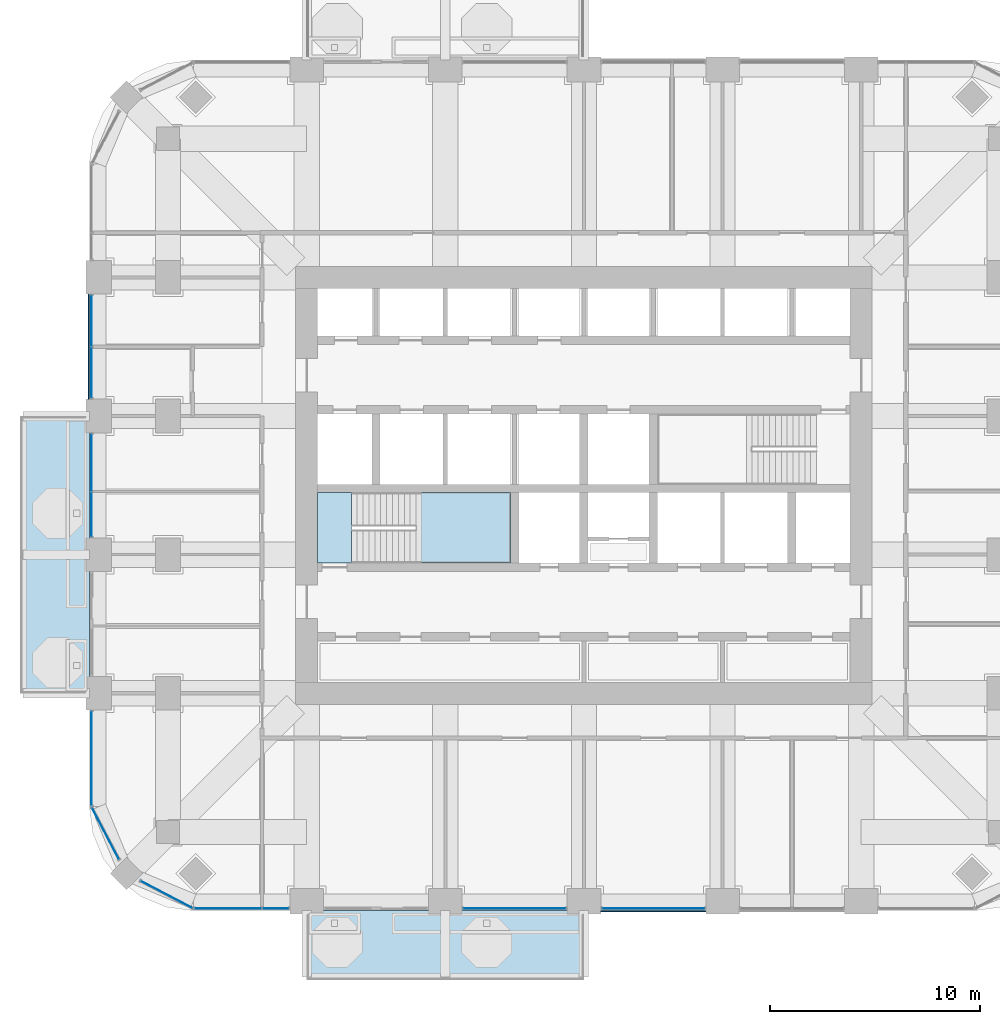
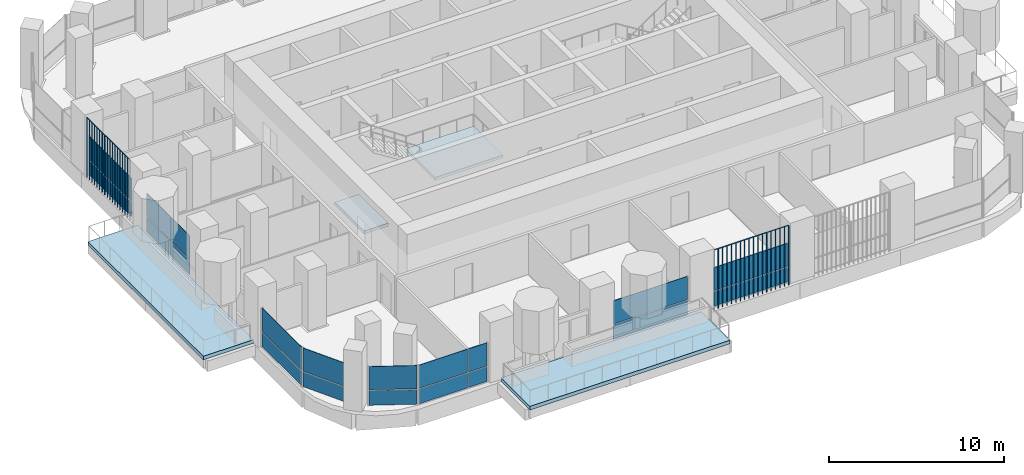
# One storey, part 8 of 20: 24 plates, 4 slabs, 9 elements without a shape of their own.
"""IFC4 building model written with IfcOpenShell, lengths in metres."""

from ifc_helpers import new_model, si_unit, direction, frame, origin, origin_2d, place, context, subcontext, project, spatial, polyline, rectangle, outline, extrude, material, layer, layer_set, type_object, element, aggregate, save


model = new_model("IFC4")

# Units and contexts
model_context = context("Model", 3, precision=1e-05, world=origin(), true_north=direction((0.0, 1.0)))
body_context = subcontext(model_context, "Body", "Model", "MODEL_VIEW")
ifc_project = project(units=[si_unit("LENGTHUNIT", "METRE"), si_unit("AREAUNIT", "SQUARE_METRE"), si_unit("VOLUMEUNIT", "CUBIC_METRE"), si_unit("PLANEANGLEUNIT", "RADIAN"), si_unit("MASSUNIT", "GRAM", prefix="KILO")], contexts=[model_context])

# Site, building, storey
site_placement = place(None, origin())
site = spatial("IfcSite", under=ifc_project, at=site_placement, CompositionType="ELEMENT")
building_placement = place(site_placement, origin())
building = spatial("IfcBuilding", under=site, at=building_placement, Name="Cobogo Forest Laboratory Tower", CompositionType="ELEMENT")
storey_placement = place(building_placement, frame((0.0, 0.0, 185.10009765625)))
storey = spatial("IfcBuildingStorey", under=building, at=storey_placement, Name="L42", CompositionType="ELEMENT", Elevation=185.10009765625)

# Slabs
ifc_material_1 = material(Name="Concrete HA-40 (C40/50)", Category="concrete")
ifc_layer_1 = layer(ifc_material_1, 0.25)
ifc_layer_set_1 = layer_set([ifc_layer_1], Name="Balcony slab 250")
slab_type_1 = type_object("IfcSlabType", Name="Balcony slab 250", PredefinedType="FLOOR", material=ifc_layer_set_1)
slab_1_placement = place(storey_placement, frame((0.0, 0.0, -0.25)))
element("IfcSlab", 1, at=slab_1_placement, inside=storey, type_object=slab_type_1, Name="Balcony BAL-S1 L42", PredefinedType="FLOOR", context=body_context, shape_type="SweptSolid", body=[
    extrude(outline(polyline([(13.199951171875, -0.449951171875), (26.39990234375, -0.449951171875), (26.39990234375, 2.85009765625), (13.199951171875, 2.85009765625), (13.199951171875, -0.449951171875)])), origin(), (0.0, 0.0, 1.0), 0.25),
])
slab_2_placement = place(storey_placement, frame((0.0, 0.0, -0.25)))
element("IfcSlab", 2, at=slab_2_placement, inside=storey, type_object=slab_type_1, Name="Balcony BAL-W1 L42", PredefinedType="FLOOR", context=body_context, shape_type="SweptSolid", body=[
    extrude(outline(polyline([(-0.449951171875, 13.199951171875), (2.85009765625, 13.199951171875), (2.85009765625, 26.39990234375), (-0.449951171875, 26.39990234375), (-0.449951171875, 13.199951171875)])), origin(), (0.0, 0.0, 1.0), 0.25),
])

# Curtain wall, plates
ifc_material_2 = material(Name="Aluminium curtain wall", Category="aluminium")
curtain_wall_type = type_object("IfcCurtainWallType", Name="CW-2 unitised curtain wall, solar control glazing, laboratory floors zones C and D", PredefinedType="USERDEFINED", material=ifc_material_2)
curtain_wall_1_placement = place(storey_placement, origin())
curtain_wall_1 = element("IfcCurtainWall", 3, at=curtain_wall_1_placement, inside=storey, type_object=curtain_wall_type, Name="Curtain wall 01 L42", ObjectType="UNITISED CURTAIN WALL", PredefinedType="USERDEFINED")
ifc_material_3 = material(Name="Solar control insulated glass", Category="glass")
ifc_layer_2 = layer(ifc_material_3, 0.031982421875)
ifc_layer_set_2 = layer_set([ifc_layer_2], Name="GP-2 solar control glass unit 32")
plate_type_1 = type_object("IfcPlateType", Name="GP-2 solar control glass unit 32", PredefinedType="CURTAIN_PANEL", material=ifc_layer_set_2)
plate_1_placement = place(storey_placement, frame((9.452392578125, 2.949951171875, 0.0), z_axis=(0.0, 0.0, 1.0), x_axis=(1.0, 0.0, 0.0)))
plate_1 = element("IfcPlate", 4, at=plate_1_placement, type_object=plate_type_1, Name="CW-2 panel 1.1", PredefinedType="CURTAIN_PANEL", context=body_context, shape_type="SweptSolid", body=[
    extrude(rectangle(XDim=3.18505859375, YDim=0.031982421875, at=origin_2d()), origin(), (0.0, 0.0, 1.0), 1.02001953125),
])
plate_2_placement = place(storey_placement, frame((9.452392578125, 2.949951171875, 1.079833984375), z_axis=(0.0, 0.0, 1.0), x_axis=(1.0, 0.0, 0.0)))
plate_2 = element("IfcPlate", 5, at=plate_2_placement, type_object=plate_type_1, Name="CW-2 panel 1.2", PredefinedType="CURTAIN_PANEL", context=body_context, shape_type="SweptSolid", body=[
    extrude(rectangle(XDim=3.18505859375, YDim=0.031982421875, at=origin_2d()), origin(), (0.0, 0.0, 1.0), 1.6201171875),
])
plate_3_placement = place(storey_placement, frame((11.722412109375, 2.949951171875, 0.0), z_axis=(0.0, 0.0, 1.0), x_axis=(1.0, 0.0, 0.0)))
plate_3 = element("IfcPlate", 6, at=plate_3_placement, type_object=plate_type_1, Name="CW-2 panel 2.1", PredefinedType="CURTAIN_PANEL", context=body_context, shape_type="SweptSolid", body=[
    extrude(rectangle(XDim=1.235107421875, YDim=0.031982421875, at=origin_2d()), origin(), (0.0, 0.0, 1.0), 1.02001953125),
])
plate_4_placement = place(storey_placement, frame((11.722412109375, 2.949951171875, 1.079833984375), z_axis=(0.0, 0.0, 1.0), x_axis=(1.0, 0.0, 0.0)))
plate_4 = element("IfcPlate", 7, at=plate_4_placement, type_object=plate_type_1, Name="CW-2 panel 2.2", PredefinedType="CURTAIN_PANEL", context=body_context, shape_type="SweptSolid", body=[
    extrude(rectangle(XDim=1.235107421875, YDim=0.031982421875, at=origin_2d()), origin(), (0.0, 0.0, 1.0), 1.6201171875),
])
aggregate(curtain_wall_1, [plate_1, plate_2, plate_3, plate_4])

curtain_wall_2_placement = place(storey_placement, origin())
curtain_wall_2 = element("IfcCurtainWall", 8, at=curtain_wall_2_placement, inside=storey, type_object=curtain_wall_type, Name="Curtain wall 03 L42", ObjectType="UNITISED CURTAIN WALL", PredefinedType="USERDEFINED")
plate_5_placement = place(storey_placement, frame((23.10009765625, 2.949951171875, 0.0), z_axis=(0.0, 0.0, 1.0), x_axis=(1.0, 0.0, 0.0)))
plate_5 = element("IfcPlate", 9, at=plate_5_placement, type_object=plate_type_1, Name="CW-2 panel 1.1", PredefinedType="CURTAIN_PANEL", context=body_context, shape_type="SweptSolid", body=[
    extrude(rectangle(XDim=4.8798828125, YDim=0.031982421875, at=origin_2d()), origin(), (0.0, 0.0, 1.0), 1.02001953125),
])
plate_6_placement = place(storey_placement, frame((23.10009765625, 2.949951171875, 1.079833984375), z_axis=(0.0, 0.0, 1.0), x_axis=(1.0, 0.0, 0.0)))
plate_6 = element("IfcPlate", 10, at=plate_6_placement, type_object=plate_type_1, Name="CW-2 panel 1.2", PredefinedType="CURTAIN_PANEL", context=body_context, shape_type="SweptSolid", body=[
    extrude(rectangle(XDim=4.8798828125, YDim=0.031982421875, at=origin_2d()), origin(), (0.0, 0.0, 1.0), 1.6201171875),
])
aggregate(curtain_wall_2, [plate_5, plate_6])

curtain_wall_3_placement = place(storey_placement, origin())
curtain_wall_3 = element("IfcCurtainWall", 11, at=curtain_wall_3_placement, inside=storey, type_object=curtain_wall_type, Name="Curtain wall 04 L42", ObjectType="UNITISED CURTAIN WALL", PredefinedType="USERDEFINED")
plate_7_placement = place(storey_placement, frame((29.699951171875, 2.949951171875, 0.0), z_axis=(0.0, 0.0, 1.0), x_axis=(1.0, 0.0, 0.0)))
plate_7 = element("IfcPlate", 12, at=plate_7_placement, type_object=plate_type_1, Name="CW-2 panel 1.1", PredefinedType="CURTAIN_PANEL", context=body_context, shape_type="SweptSolid", body=[
    extrude(rectangle(XDim=4.8798828125, YDim=0.031982421875, at=origin_2d()), origin(), (0.0, 0.0, 1.0), 1.02001953125),
])
plate_8_placement = place(storey_placement, frame((29.699951171875, 2.949951171875, 1.079833984375), z_axis=(0.0, 0.0, 1.0), x_axis=(1.0, 0.0, 0.0)))
plate_8 = element("IfcPlate", 13, at=plate_8_placement, type_object=plate_type_1, Name="CW-2 panel 1.2", PredefinedType="CURTAIN_PANEL", context=body_context, shape_type="SweptSolid", body=[
    extrude(rectangle(XDim=4.8798828125, YDim=0.031982421875, at=origin_2d()), origin(), (0.0, 0.0, 1.0), 1.6201171875),
])
aggregate(curtain_wall_3, [plate_7, plate_8])

curtain_wall_4_placement = place(storey_placement, origin())
curtain_wall_4 = element("IfcCurtainWall", 14, at=curtain_wall_4_placement, inside=storey, type_object=curtain_wall_type, Name="Curtain wall 25 L42", ObjectType="UNITISED CURTAIN WALL", PredefinedType="USERDEFINED")
plate_9_placement = place(storey_placement, frame((2.949951171875, 30.93505859375, 0.0), z_axis=(0.0, 0.0, 1.0), x_axis=(0.0, -1.0, 0.0)))
plate_9 = element("IfcPlate", 15, at=plate_9_placement, type_object=plate_type_1, Name="CW-2 panel 1.1", PredefinedType="CURTAIN_PANEL", context=body_context, shape_type="SweptSolid", body=[
    extrude(rectangle(XDim=2.409912109375, YDim=0.031982421875, at=origin_2d()), origin(), (0.0, 0.0, 1.0), 1.02001953125),
])
plate_10_placement = place(storey_placement, frame((2.949951171875, 30.93505859375, 1.079833984375), z_axis=(0.0, 0.0, 1.0), x_axis=(0.0, -1.0, 0.0)))
plate_10 = element("IfcPlate", 16, at=plate_10_placement, type_object=plate_type_1, Name="CW-2 panel 1.2", PredefinedType="CURTAIN_PANEL", context=body_context, shape_type="SweptSolid", body=[
    extrude(rectangle(XDim=2.409912109375, YDim=0.031982421875, at=origin_2d()), origin(), (0.0, 0.0, 1.0), 1.6201171875),
])
plate_11_placement = place(storey_placement, frame((2.949951171875, 28.465087890625, 0.0), z_axis=(0.0, 0.0, 1.0), x_axis=(0.0, -1.0, 0.0)))
plate_11 = element("IfcPlate", 17, at=plate_11_placement, type_object=plate_type_1, Name="CW-2 panel 2.1", PredefinedType="CURTAIN_PANEL", context=body_context, shape_type="SweptSolid", body=[
    extrude(rectangle(XDim=2.409912109375, YDim=0.031982421875, at=origin_2d()), origin(), (0.0, 0.0, 1.0), 1.02001953125),
])
plate_12_placement = place(storey_placement, frame((2.949951171875, 28.465087890625, 1.079833984375), z_axis=(0.0, 0.0, 1.0), x_axis=(0.0, -1.0, 0.0)))
plate_12 = element("IfcPlate", 18, at=plate_12_placement, type_object=plate_type_1, Name="CW-2 panel 2.2", PredefinedType="CURTAIN_PANEL", context=body_context, shape_type="SweptSolid", body=[
    extrude(rectangle(XDim=2.409912109375, YDim=0.031982421875, at=origin_2d()), origin(), (0.0, 0.0, 1.0), 1.6201171875),
])
aggregate(curtain_wall_4, [plate_9, plate_10, plate_11, plate_12])

curtain_wall_5_placement = place(storey_placement, origin())
curtain_wall_5 = element("IfcCurtainWall", 19, at=curtain_wall_5_placement, inside=storey, type_object=curtain_wall_type, Name="Curtain wall 26 L42", ObjectType="UNITISED CURTAIN WALL", PredefinedType="USERDEFINED")
plate_13_placement = place(storey_placement, frame((2.949951171875, 24.18505859375, 0.0), z_axis=(0.0, 0.0, 1.0), x_axis=(0.0, -1.0, 0.0)))
plate_13 = element("IfcPlate", 20, at=plate_13_placement, type_object=plate_type_1, Name="CW-2 panel 1.1", PredefinedType="CURTAIN_PANEL", context=body_context, shape_type="SweptSolid", body=[
    extrude(rectangle(XDim=2.7099609375, YDim=0.031982421875, at=origin_2d()), origin(), (0.0, 0.0, 1.0), 1.02001953125),
])
plate_14_placement = place(storey_placement, frame((2.949951171875, 24.18505859375, 1.079833984375), z_axis=(0.0, 0.0, 1.0), x_axis=(0.0, -1.0, 0.0)))
plate_14 = element("IfcPlate", 21, at=plate_14_placement, type_object=plate_type_1, Name="CW-2 panel 1.2", PredefinedType="CURTAIN_PANEL", context=body_context, shape_type="SweptSolid", body=[
    extrude(rectangle(XDim=2.7099609375, YDim=0.031982421875, at=origin_2d()), origin(), (0.0, 0.0, 1.0), 1.6201171875),
])
plate_15_placement = place(storey_placement, frame((2.949951171875, 21.715087890625, 0.0), z_axis=(0.0, 0.0, 1.0), x_axis=(0.0, -1.0, 0.0)))
plate_15 = element("IfcPlate", 22, at=plate_15_placement, type_object=plate_type_1, Name="CW-2 panel 2.1", PredefinedType="CURTAIN_PANEL", context=body_context, shape_type="SweptSolid", body=[
    extrude(rectangle(XDim=2.110107421875, YDim=0.031982421875, at=origin_2d()), origin(), (0.0, 0.0, 1.0), 1.02001953125),
])
plate_16_placement = place(storey_placement, frame((2.949951171875, 21.715087890625, 1.079833984375), z_axis=(0.0, 0.0, 1.0), x_axis=(0.0, -1.0, 0.0)))
plate_16 = element("IfcPlate", 23, at=plate_16_placement, type_object=plate_type_1, Name="CW-2 panel 2.2", PredefinedType="CURTAIN_PANEL", context=body_context, shape_type="SweptSolid", body=[
    extrude(rectangle(XDim=2.110107421875, YDim=0.031982421875, at=origin_2d()), origin(), (0.0, 0.0, 1.0), 1.6201171875),
])
aggregate(curtain_wall_5, [plate_13, plate_14, plate_15, plate_16])

curtain_wall_6_placement = place(storey_placement, origin())
curtain_wall_6 = element("IfcCurtainWall", 24, at=curtain_wall_6_placement, inside=storey, type_object=curtain_wall_type, Name="Curtain wall 28 L42", ObjectType="UNITISED CURTAIN WALL", PredefinedType="USERDEFINED")
plate_17_placement = place(storey_placement, frame((2.949951171875, 10.10009765625, 0.0), z_axis=(0.0, 0.0, 1.0), x_axis=(0.0, -1.0, 0.0)))
plate_17 = element("IfcPlate", 25, at=plate_17_placement, type_object=plate_type_1, Name="CW-2 panel 1.1", PredefinedType="CURTAIN_PANEL", context=body_context, shape_type="SweptSolid", body=[
    extrude(rectangle(XDim=4.47998046875, YDim=0.031982421875, at=origin_2d()), origin(), (0.0, 0.0, 1.0), 1.02001953125),
])
plate_18_placement = place(storey_placement, frame((2.949951171875, 10.10009765625, 1.079833984375), z_axis=(0.0, 0.0, 1.0), x_axis=(0.0, -1.0, 0.0)))
plate_18 = element("IfcPlate", 26, at=plate_18_placement, type_object=plate_type_1, Name="CW-2 panel 1.2", PredefinedType="CURTAIN_PANEL", context=body_context, shape_type="SweptSolid", body=[
    extrude(rectangle(XDim=4.47998046875, YDim=0.031982421875, at=origin_2d()), origin(), (0.0, 0.0, 1.0), 1.6201171875),
])
aggregate(curtain_wall_6, [plate_17, plate_18])

curtain_wall_7_placement = place(storey_placement, origin())
curtain_wall_7 = element("IfcCurtainWall", 27, at=curtain_wall_7_placement, inside=storey, type_object=curtain_wall_type, Name="Curtain wall 29 L42", ObjectType="UNITISED CURTAIN WALL", PredefinedType="USERDEFINED")
plate_19_placement = place(storey_placement, frame((3.61865234375, 6.5244140625, 0.0), z_axis=(0.0, 0.0, 1.0), x_axis=(0.464283804832, -0.885686484356, 0.0)))
plate_19 = element("IfcPlate", 28, at=plate_19_placement, type_object=plate_type_1, Name="CW-2 panel 1.1", PredefinedType="CURTAIN_PANEL", context=body_context, shape_type="SweptSolid", body=[
    extrude(rectangle(XDim=2.76025390625, YDim=0.031982421875, at=origin_2d()), origin(), (0.0, 0.0, 1.0), 1.02001953125),
])
plate_20_placement = place(storey_placement, frame((3.61865234375, 6.5244140625, 1.079833984375), z_axis=(0.0, 0.0, 1.0), x_axis=(0.464283804832, -0.885686484356, 0.0)))
plate_20 = element("IfcPlate", 29, at=plate_20_placement, type_object=plate_type_1, Name="CW-2 panel 1.2", PredefinedType="CURTAIN_PANEL", context=body_context, shape_type="SweptSolid", body=[
    extrude(rectangle(XDim=2.76025390625, YDim=0.031982421875, at=origin_2d()), origin(), (0.0, 0.0, 1.0), 1.6201171875),
])
aggregate(curtain_wall_7, [plate_19, plate_20])

curtain_wall_8_placement = place(storey_placement, origin())
curtain_wall_8 = element("IfcCurtainWall", 30, at=curtain_wall_8_placement, inside=storey, type_object=curtain_wall_type, Name="Curtain wall 30 L42", ObjectType="UNITISED CURTAIN WALL", PredefinedType="USERDEFINED")
plate_21_placement = place(storey_placement, frame((6.5244140625, 3.61865234375, 0.0), z_axis=(0.0, 0.0, 1.0), x_axis=(0.885686484356, -0.464283804832, 0.0)))
plate_21 = element("IfcPlate", 31, at=plate_21_placement, type_object=plate_type_1, Name="CW-2 panel 1.1", PredefinedType="CURTAIN_PANEL", context=body_context, shape_type="SweptSolid", body=[
    extrude(rectangle(XDim=2.76025390625, YDim=0.031982421875, at=origin_2d()), origin(), (0.0, 0.0, 1.0), 1.02001953125),
])
plate_22_placement = place(storey_placement, frame((6.5244140625, 3.61865234375, 1.079833984375), z_axis=(0.0, 0.0, 1.0), x_axis=(0.885686484356, -0.464283804832, 0.0)))
plate_22 = element("IfcPlate", 32, at=plate_22_placement, type_object=plate_type_1, Name="CW-2 panel 1.2", PredefinedType="CURTAIN_PANEL", context=body_context, shape_type="SweptSolid", body=[
    extrude(rectangle(XDim=2.76025390625, YDim=0.031982421875, at=origin_2d()), origin(), (0.0, 0.0, 1.0), 1.6201171875),
])
aggregate(curtain_wall_8, [plate_21, plate_22])

# Stair, slabs
ifc_material_4 = material(Name="Precast concrete HA-40 (C40/50)", Category="concrete")
stair_type = type_object("IfcStairType", Name="ST24 exit stair 24 risers", PredefinedType="HALF_TURN_STAIR", material=ifc_material_4)
stair_placement = place(storey_placement, origin())
stair = element("IfcStair", 33, at=stair_placement, inside=storey, type_object=stair_type, Name="Stair 1 L42 to L43", PredefinedType="HALF_TURN_STAIR")
ifc_layer_3 = layer(ifc_material_1, 0.199951171875)
ifc_layer_set_3 = layer_set([ifc_layer_3], Name="SL stair landing 200")
slab_type_2 = type_object("IfcSlabType", Name="SL stair landing 200", PredefinedType="LANDING", material=ifc_layer_set_3)
slab_3_placement = place(storey_placement, frame((0.0, 0.0, -0.2001953125)))
slab_3 = element("IfcSlab", 34, at=slab_3_placement, type_object=slab_type_2, Name="ST1 landing 1", PredefinedType="LANDING", context=body_context, shape_type="SweptSolid", body=[
    extrude(outline(polyline([(13.72509765625, 19.39990234375), (15.326904296875, 19.39990234375), (15.326904296875, 22.75), (13.72509765625, 22.75), (13.72509765625, 19.39990234375)])), origin(), (0.0, 0.0, 1.0), 0.2001953125),
])
slab_4_placement = place(storey_placement, frame((0.0, 0.0, 1.89990234375)))
slab_4 = element("IfcSlab", 35, at=slab_4_placement, type_object=slab_type_2, Name="ST1 landing 2", PredefinedType="LANDING", context=body_context, shape_type="SweptSolid", body=[
    extrude(outline(polyline([(18.403076171875, 19.39990234375), (22.89990234375, 19.39990234375), (22.89990234375, 22.75), (18.403076171875, 22.75), (18.403076171875, 19.39990234375)])), origin(), (0.0, 0.0, 1.0), 0.199951171875),
])
aggregate(stair, [slab_3, slab_4])

# Plates
ifc_material_5 = material(Name="Terracotta", Category="masonry")
plate_type_2 = type_object("IfcPlateType", Name="TB1 terracotta baguette screen", PredefinedType="USERDEFINED", material=ifc_material_5)
plate_23_placement = place(storey_placement, frame((27.231201171875, 2.822021484375, -0.150146484375)))
element("IfcPlate", 36, at=plate_23_placement, inside=storey, type_object=plate_type_2, Name="Baguette screen S3 L42", ObjectType="BAGUETTE SCREEN", PredefinedType="USERDEFINED", context=body_context, shape_type="SweptSolid", body=[
    extrude(outline(polyline([(0.02880859375, 0.011962890625), (0.011962890625, 0.02880859375), (-0.011962890625, 0.02880859375), (-0.02880859375, 0.011962890625), (-0.02880859375, -0.011962890625), (-0.011962890625, -0.02880859375), (0.011962890625, -0.02880859375), (0.02880859375, -0.011962890625), (0.02880859375, 0.011962890625)])), frame((0.0, 0.0, 4.168701171875), z_axis=(1.0, 0.0, 0.0), x_axis=(0.0, 1.0, 0.0)), (0.0, 0.0, 1.0), 4.9375),
    extrude(outline(polyline([(0.02880859375, 0.011962890625), (0.011962890625, 0.02880859375), (-0.011962890625, 0.02880859375), (-0.02880859375, 0.011962890625), (-0.02880859375, -0.011962890625), (-0.011962890625, -0.02880859375), (0.011962890625, -0.02880859375), (0.02880859375, -0.011962890625), (0.02880859375, 0.011962890625)])), origin(), (0.0, 0.0, 1.0), 4.137451171875),
    extrude(outline(polyline([(0.02880859375, 0.011962890625), (0.011962890625, 0.02880859375), (-0.011962890625, 0.02880859375), (-0.02880859375, 0.011962890625), (-0.02880859375, -0.011962890625), (-0.011962890625, -0.02880859375), (0.011962890625, -0.02880859375), (0.02880859375, -0.011962890625), (0.02880859375, 0.011962890625)])), frame((0.29052734375, 0.0, 0.0)), (0.0, 0.0, 1.0), 4.137451171875),
    extrude(outline(polyline([(0.02880859375, 0.011962890625), (0.011962890625, 0.02880859375), (-0.011962890625, 0.02880859375), (-0.02880859375, 0.011962890625), (-0.02880859375, -0.011962890625), (-0.011962890625, -0.02880859375), (0.011962890625, -0.02880859375), (0.02880859375, -0.011962890625), (0.02880859375, 0.011962890625)])), frame((0.580810546875, 0.0, 0.0)), (0.0, 0.0, 1.0), 4.137451171875),
    extrude(outline(polyline([(0.02880859375, 0.011962890625), (0.011962890625, 0.02880859375), (-0.011962890625, 0.02880859375), (-0.02880859375, 0.011962890625), (-0.02880859375, -0.011962890625), (-0.011962890625, -0.02880859375), (0.011962890625, -0.02880859375), (0.02880859375, -0.011962890625), (0.02880859375, 0.011962890625)])), frame((0.871337890625, 0.0, 0.0)), (0.0, 0.0, 1.0), 4.137451171875),
    extrude(outline(polyline([(0.02880859375, 0.011962890625), (0.011962890625, 0.02880859375), (-0.011962890625, 0.02880859375), (-0.02880859375, 0.011962890625), (-0.02880859375, -0.011962890625), (-0.011962890625, -0.02880859375), (0.011962890625, -0.02880859375), (0.02880859375, -0.011962890625), (0.02880859375, 0.011962890625)])), frame((1.161865234375, 0.0, 0.0)), (0.0, 0.0, 1.0), 4.137451171875),
    extrude(outline(polyline([(0.02880859375, 0.011962890625), (0.011962890625, 0.02880859375), (-0.011962890625, 0.02880859375), (-0.02880859375, 0.011962890625), (-0.02880859375, -0.011962890625), (-0.011962890625, -0.02880859375), (0.011962890625, -0.02880859375), (0.02880859375, -0.011962890625), (0.02880859375, 0.011962890625)])), frame((1.4521484375, 0.0, 0.0)), (0.0, 0.0, 1.0), 4.137451171875),
    extrude(outline(polyline([(0.02880859375, 0.011962890625), (0.011962890625, 0.02880859375), (-0.011962890625, 0.02880859375), (-0.02880859375, 0.011962890625), (-0.02880859375, -0.011962890625), (-0.011962890625, -0.02880859375), (0.011962890625, -0.02880859375), (0.02880859375, -0.011962890625), (0.02880859375, 0.011962890625)])), frame((1.74267578125, 0.0, 0.0)), (0.0, 0.0, 1.0), 4.137451171875),
    extrude(outline(polyline([(0.02880859375, 0.011962890625), (0.011962890625, 0.02880859375), (-0.011962890625, 0.02880859375), (-0.02880859375, 0.011962890625), (-0.02880859375, -0.011962890625), (-0.011962890625, -0.02880859375), (0.011962890625, -0.02880859375), (0.02880859375, -0.011962890625), (0.02880859375, 0.011962890625)])), frame((2.033203125, 0.0, 0.0)), (0.0, 0.0, 1.0), 4.137451171875),
    extrude(outline(polyline([(0.02880859375, 0.011962890625), (0.011962890625, 0.02880859375), (-0.011962890625, 0.02880859375), (-0.02880859375, 0.011962890625), (-0.02880859375, -0.011962890625), (-0.011962890625, -0.02880859375), (0.011962890625, -0.02880859375), (0.02880859375, -0.011962890625), (0.02880859375, 0.011962890625)])), frame((2.323486328125, 0.0, 0.0)), (0.0, 0.0, 1.0), 4.137451171875),
    extrude(outline(polyline([(0.02880859375, 0.011962890625), (0.011962890625, 0.02880859375), (-0.011962890625, 0.02880859375), (-0.02880859375, 0.011962890625), (-0.02880859375, -0.011962890625), (-0.011962890625, -0.02880859375), (0.011962890625, -0.02880859375), (0.02880859375, -0.011962890625), (0.02880859375, 0.011962890625)])), frame((2.614013671875, 0.0, 0.0)), (0.0, 0.0, 1.0), 4.137451171875),
    extrude(outline(polyline([(0.02880859375, 0.011962890625), (0.011962890625, 0.02880859375), (-0.011962890625, 0.02880859375), (-0.02880859375, 0.011962890625), (-0.02880859375, -0.011962890625), (-0.011962890625, -0.02880859375), (0.011962890625, -0.02880859375), (0.02880859375, -0.011962890625), (0.02880859375, 0.011962890625)])), frame((2.904296875, 0.0, 0.0)), (0.0, 0.0, 1.0), 4.137451171875),
    extrude(outline(polyline([(0.02880859375, 0.011962890625), (0.011962890625, 0.02880859375), (-0.011962890625, 0.02880859375), (-0.02880859375, 0.011962890625), (-0.02880859375, -0.011962890625), (-0.011962890625, -0.02880859375), (0.011962890625, -0.02880859375), (0.02880859375, -0.011962890625), (0.02880859375, 0.011962890625)])), frame((3.19482421875, 0.0, 0.0)), (0.0, 0.0, 1.0), 4.137451171875),
    extrude(outline(polyline([(0.02880859375, 0.011962890625), (0.011962890625, 0.02880859375), (-0.011962890625, 0.02880859375), (-0.02880859375, 0.011962890625), (-0.02880859375, -0.011962890625), (-0.011962890625, -0.02880859375), (0.011962890625, -0.02880859375), (0.02880859375, -0.011962890625), (0.02880859375, 0.011962890625)])), frame((3.4853515625, 0.0, 0.0)), (0.0, 0.0, 1.0), 4.137451171875),
    extrude(outline(polyline([(0.02880859375, 0.011962890625), (0.011962890625, 0.02880859375), (-0.011962890625, 0.02880859375), (-0.02880859375, 0.011962890625), (-0.02880859375, -0.011962890625), (-0.011962890625, -0.02880859375), (0.011962890625, -0.02880859375), (0.02880859375, -0.011962890625), (0.02880859375, 0.011962890625)])), frame((3.775634765625, 0.0, 0.0)), (0.0, 0.0, 1.0), 4.137451171875),
    extrude(outline(polyline([(0.02880859375, 0.011962890625), (0.011962890625, 0.02880859375), (-0.011962890625, 0.02880859375), (-0.02880859375, 0.011962890625), (-0.02880859375, -0.011962890625), (-0.011962890625, -0.02880859375), (0.011962890625, -0.02880859375), (0.02880859375, -0.011962890625), (0.02880859375, 0.011962890625)])), frame((4.066162109375, 0.0, 0.0)), (0.0, 0.0, 1.0), 4.137451171875),
    extrude(outline(polyline([(0.02880859375, 0.011962890625), (0.011962890625, 0.02880859375), (-0.011962890625, 0.02880859375), (-0.02880859375, 0.011962890625), (-0.02880859375, -0.011962890625), (-0.011962890625, -0.02880859375), (0.011962890625, -0.02880859375), (0.02880859375, -0.011962890625), (0.02880859375, 0.011962890625)])), frame((4.356689453125, 0.0, 0.0)), (0.0, 0.0, 1.0), 4.137451171875),
    extrude(outline(polyline([(0.02880859375, 0.011962890625), (0.011962890625, 0.02880859375), (-0.011962890625, 0.02880859375), (-0.02880859375, 0.011962890625), (-0.02880859375, -0.011962890625), (-0.011962890625, -0.02880859375), (0.011962890625, -0.02880859375), (0.02880859375, -0.011962890625), (0.02880859375, 0.011962890625)])), frame((4.64697265625, 0.0, 0.0)), (0.0, 0.0, 1.0), 4.137451171875),
    extrude(outline(polyline([(0.02880859375, 0.011962890625), (0.011962890625, 0.02880859375), (-0.011962890625, 0.02880859375), (-0.02880859375, 0.011962890625), (-0.02880859375, -0.011962890625), (-0.011962890625, -0.02880859375), (0.011962890625, -0.02880859375), (0.02880859375, -0.011962890625), (0.02880859375, 0.011962890625)])), frame((4.9375, 0.0, 0.0)), (0.0, 0.0, 1.0), 4.137451171875),
])
plate_24_placement = place(storey_placement, frame((2.822021484375, 27.231201171875, -0.150146484375)))
element("IfcPlate", 37, at=plate_24_placement, inside=storey, type_object=plate_type_2, Name="Baguette screen W3 L42", ObjectType="BAGUETTE SCREEN", PredefinedType="USERDEFINED", context=body_context, shape_type="SweptSolid", body=[
    extrude(outline(polyline([(0.02880859375, 0.011962890625), (0.011962890625, 0.02880859375), (-0.011962890625, 0.02880859375), (-0.02880859375, 0.011962890625), (-0.02880859375, -0.011962890625), (-0.011962890625, -0.02880859375), (0.011962890625, -0.02880859375), (0.02880859375, -0.011962890625), (0.02880859375, 0.011962890625)])), frame((0.0, 0.0, 4.168701171875), z_axis=(0.0, 1.0, 0.0), x_axis=(-1.0, 0.0, 0.0)), (0.0, 0.0, 1.0), 4.9375),
    extrude(outline(polyline([(0.02880859375, 0.011962890625), (0.011962890625, 0.02880859375), (-0.011962890625, 0.02880859375), (-0.02880859375, 0.011962890625), (-0.02880859375, -0.011962890625), (-0.011962890625, -0.02880859375), (0.011962890625, -0.02880859375), (0.02880859375, -0.011962890625), (0.02880859375, 0.011962890625)])), origin(), (0.0, 0.0, 1.0), 4.137451171875),
    extrude(outline(polyline([(0.02880859375, 0.011962890625), (0.011962890625, 0.02880859375), (-0.011962890625, 0.02880859375), (-0.02880859375, 0.011962890625), (-0.02880859375, -0.011962890625), (-0.011962890625, -0.02880859375), (0.011962890625, -0.02880859375), (0.02880859375, -0.011962890625), (0.02880859375, 0.011962890625)])), frame((0.0, 0.29052734375, 0.0)), (0.0, 0.0, 1.0), 4.137451171875),
    extrude(outline(polyline([(0.02880859375, 0.011962890625), (0.011962890625, 0.02880859375), (-0.011962890625, 0.02880859375), (-0.02880859375, 0.011962890625), (-0.02880859375, -0.011962890625), (-0.011962890625, -0.02880859375), (0.011962890625, -0.02880859375), (0.02880859375, -0.011962890625), (0.02880859375, 0.011962890625)])), frame((0.0, 0.580810546875, 0.0)), (0.0, 0.0, 1.0), 4.137451171875),
    extrude(outline(polyline([(0.02880859375, 0.011962890625), (0.011962890625, 0.02880859375), (-0.011962890625, 0.02880859375), (-0.02880859375, 0.011962890625), (-0.02880859375, -0.011962890625), (-0.011962890625, -0.02880859375), (0.011962890625, -0.02880859375), (0.02880859375, -0.011962890625), (0.02880859375, 0.011962890625)])), frame((0.0, 0.871337890625, 0.0)), (0.0, 0.0, 1.0), 4.137451171875),
    extrude(outline(polyline([(0.02880859375, 0.011962890625), (0.011962890625, 0.02880859375), (-0.011962890625, 0.02880859375), (-0.02880859375, 0.011962890625), (-0.02880859375, -0.011962890625), (-0.011962890625, -0.02880859375), (0.011962890625, -0.02880859375), (0.02880859375, -0.011962890625), (0.02880859375, 0.011962890625)])), frame((0.0, 1.161865234375, 0.0)), (0.0, 0.0, 1.0), 4.137451171875),
    extrude(outline(polyline([(0.02880859375, 0.011962890625), (0.011962890625, 0.02880859375), (-0.011962890625, 0.02880859375), (-0.02880859375, 0.011962890625), (-0.02880859375, -0.011962890625), (-0.011962890625, -0.02880859375), (0.011962890625, -0.02880859375), (0.02880859375, -0.011962890625), (0.02880859375, 0.011962890625)])), frame((0.0, 1.4521484375, 0.0)), (0.0, 0.0, 1.0), 4.137451171875),
    extrude(outline(polyline([(0.02880859375, 0.011962890625), (0.011962890625, 0.02880859375), (-0.011962890625, 0.02880859375), (-0.02880859375, 0.011962890625), (-0.02880859375, -0.011962890625), (-0.011962890625, -0.02880859375), (0.011962890625, -0.02880859375), (0.02880859375, -0.011962890625), (0.02880859375, 0.011962890625)])), frame((0.0, 1.74267578125, 0.0)), (0.0, 0.0, 1.0), 4.137451171875),
    extrude(outline(polyline([(0.02880859375, 0.011962890625), (0.011962890625, 0.02880859375), (-0.011962890625, 0.02880859375), (-0.02880859375, 0.011962890625), (-0.02880859375, -0.011962890625), (-0.011962890625, -0.02880859375), (0.011962890625, -0.02880859375), (0.02880859375, -0.011962890625), (0.02880859375, 0.011962890625)])), frame((0.0, 2.033203125, 0.0)), (0.0, 0.0, 1.0), 4.137451171875),
    extrude(outline(polyline([(0.02880859375, 0.011962890625), (0.011962890625, 0.02880859375), (-0.011962890625, 0.02880859375), (-0.02880859375, 0.011962890625), (-0.02880859375, -0.011962890625), (-0.011962890625, -0.02880859375), (0.011962890625, -0.02880859375), (0.02880859375, -0.011962890625), (0.02880859375, 0.011962890625)])), frame((0.0, 2.323486328125, 0.0)), (0.0, 0.0, 1.0), 4.137451171875),
    extrude(outline(polyline([(0.02880859375, 0.011962890625), (0.011962890625, 0.02880859375), (-0.011962890625, 0.02880859375), (-0.02880859375, 0.011962890625), (-0.02880859375, -0.011962890625), (-0.011962890625, -0.02880859375), (0.011962890625, -0.02880859375), (0.02880859375, -0.011962890625), (0.02880859375, 0.011962890625)])), frame((0.0, 2.614013671875, 0.0)), (0.0, 0.0, 1.0), 4.137451171875),
    extrude(outline(polyline([(0.02880859375, 0.011962890625), (0.011962890625, 0.02880859375), (-0.011962890625, 0.02880859375), (-0.02880859375, 0.011962890625), (-0.02880859375, -0.011962890625), (-0.011962890625, -0.02880859375), (0.011962890625, -0.02880859375), (0.02880859375, -0.011962890625), (0.02880859375, 0.011962890625)])), frame((0.0, 2.904296875, 0.0)), (0.0, 0.0, 1.0), 4.137451171875),
    extrude(outline(polyline([(0.02880859375, 0.011962890625), (0.011962890625, 0.02880859375), (-0.011962890625, 0.02880859375), (-0.02880859375, 0.011962890625), (-0.02880859375, -0.011962890625), (-0.011962890625, -0.02880859375), (0.011962890625, -0.02880859375), (0.02880859375, -0.011962890625), (0.02880859375, 0.011962890625)])), frame((0.0, 3.19482421875, 0.0)), (0.0, 0.0, 1.0), 4.137451171875),
    extrude(outline(polyline([(0.02880859375, 0.011962890625), (0.011962890625, 0.02880859375), (-0.011962890625, 0.02880859375), (-0.02880859375, 0.011962890625), (-0.02880859375, -0.011962890625), (-0.011962890625, -0.02880859375), (0.011962890625, -0.02880859375), (0.02880859375, -0.011962890625), (0.02880859375, 0.011962890625)])), frame((0.0, 3.4853515625, 0.0)), (0.0, 0.0, 1.0), 4.137451171875),
    extrude(outline(polyline([(0.02880859375, 0.011962890625), (0.011962890625, 0.02880859375), (-0.011962890625, 0.02880859375), (-0.02880859375, 0.011962890625), (-0.02880859375, -0.011962890625), (-0.011962890625, -0.02880859375), (0.011962890625, -0.02880859375), (0.02880859375, -0.011962890625), (0.02880859375, 0.011962890625)])), frame((0.0, 3.775634765625, 0.0)), (0.0, 0.0, 1.0), 4.137451171875),
    extrude(outline(polyline([(0.02880859375, 0.011962890625), (0.011962890625, 0.02880859375), (-0.011962890625, 0.02880859375), (-0.02880859375, 0.011962890625), (-0.02880859375, -0.011962890625), (-0.011962890625, -0.02880859375), (0.011962890625, -0.02880859375), (0.02880859375, -0.011962890625), (0.02880859375, 0.011962890625)])), frame((0.0, 4.066162109375, 0.0)), (0.0, 0.0, 1.0), 4.137451171875),
    extrude(outline(polyline([(0.02880859375, 0.011962890625), (0.011962890625, 0.02880859375), (-0.011962890625, 0.02880859375), (-0.02880859375, 0.011962890625), (-0.02880859375, -0.011962890625), (-0.011962890625, -0.02880859375), (0.011962890625, -0.02880859375), (0.02880859375, -0.011962890625), (0.02880859375, 0.011962890625)])), frame((0.0, 4.356689453125, 0.0)), (0.0, 0.0, 1.0), 4.137451171875),
    extrude(outline(polyline([(0.02880859375, 0.011962890625), (0.011962890625, 0.02880859375), (-0.011962890625, 0.02880859375), (-0.02880859375, 0.011962890625), (-0.02880859375, -0.011962890625), (-0.011962890625, -0.02880859375), (0.011962890625, -0.02880859375), (0.02880859375, -0.011962890625), (0.02880859375, 0.011962890625)])), frame((0.0, 4.64697265625, 0.0)), (0.0, 0.0, 1.0), 4.137451171875),
    extrude(outline(polyline([(0.02880859375, 0.011962890625), (0.011962890625, 0.02880859375), (-0.011962890625, 0.02880859375), (-0.02880859375, 0.011962890625), (-0.02880859375, -0.011962890625), (-0.011962890625, -0.02880859375), (0.011962890625, -0.02880859375), (0.02880859375, -0.011962890625), (0.02880859375, 0.011962890625)])), frame((0.0, 4.9375, 0.0)), (0.0, 0.0, 1.0), 4.137451171875),
])

save(model, "model.ifc")
